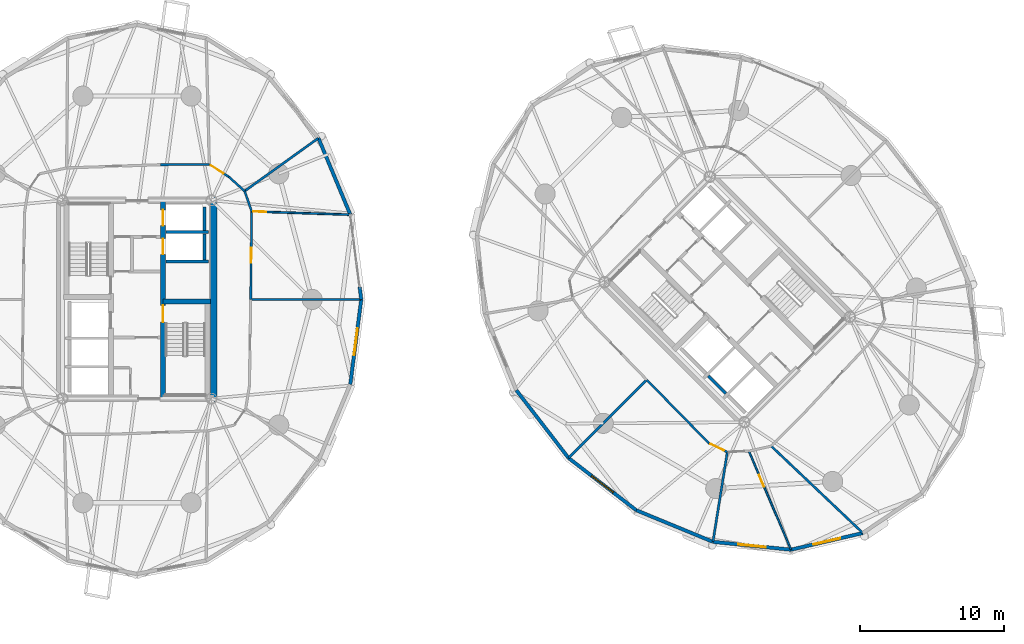
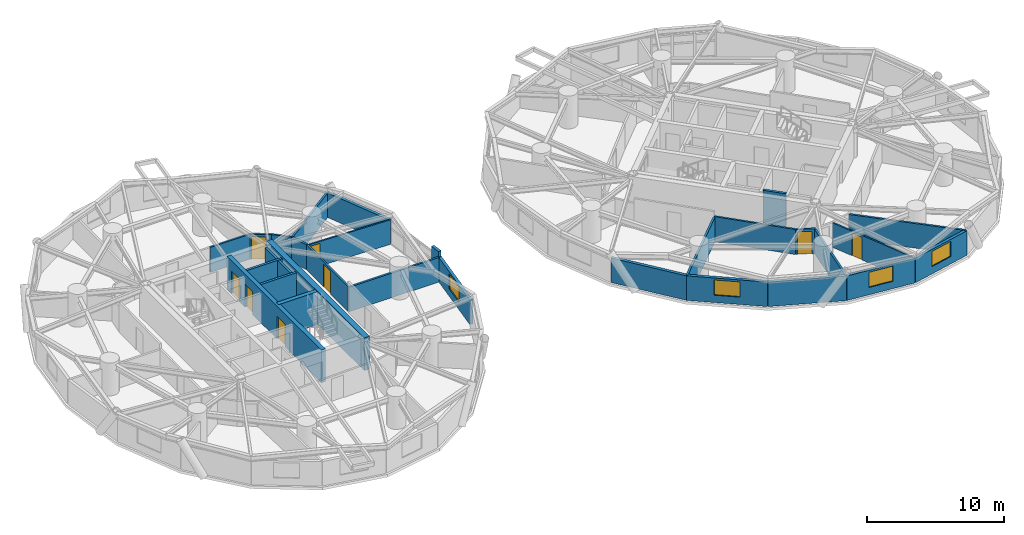
# One storey, part 11 of 17: 30 walls, 8 doors, 4 windows, 12 openings.
"""IFC4 building model written with IfcOpenShell, lengths in metres."""

from ifc_helpers import new_model, si_unit, direction, frame, frame_2d, origin, place, context, subcontext, project, spatial, rectangle, extrude, source, transform, mapped, material, layer, layer_set, type_object, element, fill, save


model = new_model("IFC4")

# Units and contexts
model_context = context("Model", 3, precision=1e-05, world=origin(), true_north=direction((0.0, 1.0)))
body_context = subcontext(model_context, "Body", "Model", "MODEL_VIEW")
ifc_project = project(units=[si_unit("LENGTHUNIT", "METRE"), si_unit("AREAUNIT", "SQUARE_METRE"), si_unit("VOLUMEUNIT", "CUBIC_METRE"), si_unit("PLANEANGLEUNIT", "RADIAN"), si_unit("MASSUNIT", "GRAM", prefix="KILO")], contexts=[model_context])

# Site, building, storey
site_placement = place(None, origin())
site = spatial("IfcSite", under=ifc_project, at=site_placement, CompositionType="ELEMENT")
building_placement = place(site_placement, origin())
building = spatial("IfcBuilding", under=site, at=building_placement, Name="Cununo Teusaquillo Station Towers", CompositionType="ELEMENT")
storey_placement = place(building_placement, frame((0.0, 0.0, 81.7900390625)))
storey = spatial("IfcBuildingStorey", under=building, at=storey_placement, Name="L25", CompositionType="ELEMENT", Elevation=81.7900390625)

# Walls
ifc_material_1 = material(Name="Concrete C50/60", Category="concrete")
ifc_layer_1 = layer(ifc_material_1, 0.199951171875)
ifc_layer_set_1 = layer_set([ifc_layer_1], Name="Concrete C50/60")
wall_type_1 = type_object("IfcWallType", Name="WL-CORE-200", PredefinedType="SHEAR", material=ifc_layer_set_1)
for number, where, z_axis, x_axis, name in (
    (1, (18.510009765625, 27.1298828125, 0.0), (0.0, 0.0, 1.0), (1.0, 0.0, 0.0), "L25 Tower A Low-Rise Lift Hoistway South Shear Wall"),
    (2, (18.510009765625, 29.175048828125, 0.0), (0.0, 0.0, 1.0), (1.0, 0.0, 0.0), "L25 Tower A Low-Rise Lift Hoistway Divider Shear Wall"),
):
    element("IfcWall", number, at=place(storey_placement, frame(where, z_axis=z_axis, x_axis=x_axis)), inside=storey, type_object=wall_type_1, Name=name, PredefinedType="SHEAR", context=body_context, shape_type="SweptSolid", body=[
        extrude(rectangle(XDim=2.969970703125, YDim=0.199951171875, at=frame_2d((1.48486328125, 0.0))), origin(), (0.0, 0.0, 1.0), 2.909912109375),
    ])
wall_1_placement = place(storey_placement, frame((21.179931640625, 27.25, 0.0), z_axis=(0.0, 0.0, 1.0), x_axis=(0.0, 1.0, 0.0)))
element("IfcWall", 3, at=wall_1_placement, inside=storey, type_object=wall_type_1, Name="L25 Tower A Low-Rise Lift 1 Shaft Rear Shear Wall", PredefinedType="SHEAR", context=body_context, shape_type="SweptSolid", body=[
    extrude(rectangle(XDim=1.804931640625, YDim=0.199951171875, at=frame_2d((0.90234375, 0.0))), origin(), (0.0, 0.0, 1.0), 2.909912109375),
])
wall_2_placement = place(storey_placement, frame((21.179931640625, 29.294921875, 0.0), z_axis=(0.0, 0.0, 1.0), x_axis=(0.0, 1.0, 0.0)))
element("IfcWall", 4, at=wall_2_placement, inside=storey, type_object=wall_type_1, Name="L25 Tower A Low-Rise Lift 2 Shaft Rear Shear Wall", PredefinedType="SHEAR", context=body_context, shape_type="SweptSolid", body=[
    extrude(rectangle(XDim=1.635009765625, YDim=0.199951171875, at=frame_2d((0.8173828125, 0.0))), origin(), (0.0, 0.0, 1.0), 2.909912109375),
])
wall_3_placement = place(storey_placement, frame((57.41162109375, 17.969970703125, 0.0), z_axis=(0.0, 0.0, 1.0), x_axis=(-0.707106781187, 0.707106781187, 0.0)))
element("IfcWall", 5, at=wall_3_placement, inside=storey, type_object=wall_type_1, Name="L25 Tower B High-Rise Lift 2 Shaft Rear Shear Wall", PredefinedType="SHEAR", context=body_context, shape_type="SweptSolid", body=[
    extrude(rectangle(XDim=1.73486328125, YDim=0.199951171875, at=frame_2d((0.867431640625, 0.0))), origin(), (0.0, 0.0, 1.0), 2.909912109375),
])

# Wall, openings, doors
ifc_material_2 = material(Name="Concrete C50/60", Category="concrete")
ifc_layer_2 = layer(ifc_material_2, 0.35009765625)
ifc_layer_set_2 = layer_set([ifc_layer_2], Name="Concrete C50/60")
wall_type_2 = type_object("IfcWallType", Name="WL-CORE-350", PredefinedType="SHEAR", material=ifc_layer_set_2)
wall_4_placement = place(storey_placement, frame((18.31494140625, 17.625, 0.0), z_axis=(0.0, 0.0, 1.0), x_axis=(0.0, 1.0, 0.0)))
wall_4 = element("IfcWall", 6, at=wall_4_placement, inside=storey, type_object=wall_type_2, Name="L25 Tower A Core Shear Wall IE", PredefinedType="SHEAR", context=body_context, shape_type="SweptSolid", body=[
    extrude(rectangle(XDim=13.75, YDim=0.35009765625, at=frame_2d((6.875, 0.0))), origin(), (0.0, 0.0, 1.0), 2.909912109375),
])
shared_shape_1 = source(origin(), body_context, "Body", "SweptSolid", [
    extrude(rectangle(XDim=1.10009765625, YDim=2.014892578125, at=frame_2d((0.550048828125, 1.00732421875))), frame((0.0, 0.18505859375, 0.0), z_axis=(0.0, -1.0, 0.0), x_axis=(1.0, 0.0, 0.0)), (0.0, 0.0, 1.0), 0.3701171875),
])
opening_1_placement = place(wall_4_placement, frame((10.0, 0.0, 0.0)))
opening_1 = element("IfcOpeningElement", 7, at=opening_1_placement, cuts=wall_4, Name="Opening LD-01", PredefinedType="OPENING", context=body_context, shape_type="MappedRepresentation", body=[
    mapped(shared_shape_1, transform((0.0, 0.0, 0.0), x_axis=(1.0, 0.0, 0.0), y_axis=(0.0, 1.0, 0.0), z_axis=(0.0, 0.0, 1.0), scale=1.0)),
])
opening_2_placement = place(wall_4_placement, frame((12.0, 0.0, 0.0)))
opening_2 = element("IfcOpeningElement", 8, at=opening_2_placement, cuts=wall_4, Name="Opening LD-01", PredefinedType="OPENING", context=body_context, shape_type="MappedRepresentation", body=[
    mapped(shared_shape_1, transform((0.0, 0.0, 0.0), x_axis=(1.0, 0.0, 0.0), y_axis=(0.0, 1.0, 0.0), z_axis=(0.0, 0.0, 1.0), scale=1.0)),
])
shared_shape_2 = source(origin(), body_context, "Body", "SweptSolid", [
    extrude(rectangle(XDim=1.14990234375, YDim=2.02001953125, at=frame_2d((0.574951171875, 1.010009765625))), frame((0.0, 0.18505859375, 0.0), z_axis=(0.0, -1.0, 0.0), x_axis=(1.0, 0.0, 0.0)), (0.0, 0.0, 1.0), 0.3701171875),
])
opening_3_placement = place(wall_4_placement, frame((5.304931640625, 0.0, 0.0)))
opening_3 = element("IfcOpeningElement", 9, at=opening_3_placement, cuts=wall_4, Name="Opening D-ST1", PredefinedType="OPENING", context=body_context, shape_type="MappedRepresentation", body=[
    mapped(shared_shape_2, transform((0.0, 0.0, 0.0), x_axis=(1.0, 0.0, 0.0), y_axis=(0.0, 1.0, 0.0), z_axis=(0.0, 0.0, 1.0), scale=1.0)),
])
ifc_material_3 = material(Name="Galvanised fire-rated hollow steel door assembly", Category="steel")
door_type_1 = type_object("IfcDoorType", Name="DR-LIFT-1100", OperationType="SLIDING_TO_LEFT", PredefinedType="DOOR", material=ifc_material_3)
shared_shape_3 = source(origin(), body_context, "Body", "SweptSolid", [
    extrude(rectangle(XDim=1.10009765625, YDim=2.014892578125, at=frame_2d((0.550048828125, 1.00732421875))), frame((0.0, 0.02490234375, 0.0), z_axis=(0.0, -1.0, 0.0), x_axis=(1.0, 0.0, 0.0)), (0.0, 0.0, 1.0), 0.050048828125),
])
door_1_placement = place(opening_1_placement, origin())
door_1 = element("IfcDoor", 10, at=door_1_placement, inside=storey, type_object=door_type_1, Name="L25 Lift PL-T1-L1 Sliding Landing Door", OperationType="SLIDING_TO_RIGHT", OverallHeight=2.014892578125, OverallWidth=1.10009765625, PredefinedType="DOOR", context=body_context, shape_type="MappedRepresentation", body=[
    mapped(shared_shape_3, transform((0.0, 0.0, 0.0), x_axis=(1.0, 0.0, 0.0), y_axis=(0.0, 1.0, 0.0), z_axis=(0.0, 0.0, 1.0), scale=1.0)),
])
fill(opening_1, door_1)
door_2_placement = place(opening_2_placement, origin())
door_2 = element("IfcDoor", 11, at=door_2_placement, inside=storey, type_object=door_type_1, Name="L25 Lift PL-T1-L2 Sliding Landing Door", OperationType="SLIDING_TO_LEFT", OverallHeight=2.014892578125, OverallWidth=1.10009765625, PredefinedType="DOOR", context=body_context, shape_type="MappedRepresentation", body=[
    mapped(shared_shape_3, transform((0.0, 0.0, 0.0), x_axis=(1.0, 0.0, 0.0), y_axis=(0.0, 1.0, 0.0), z_axis=(0.0, 0.0, 1.0), scale=1.0)),
])
fill(opening_2, door_2)
ifc_material_4 = material(Name="Galvanised fire-rated hollow steel door assembly", Category="steel")
door_type_2 = type_object("IfcDoorType", Name="DR-STAIR-1150", OperationType="NOTDEFINED", PredefinedType="DOOR", material=ifc_material_4)
shared_shape_4 = source(origin(), body_context, "Body", "SweptSolid", [
    extrude(rectangle(XDim=1.14990234375, YDim=2.02001953125, at=frame_2d((0.574951171875, 1.010009765625))), frame((0.0, 0.02490234375, 0.0), z_axis=(0.0, -1.0, 0.0), x_axis=(1.0, 0.0, 0.0)), (0.0, 0.0, 1.0), 0.050048828125),
])
door_3_placement = place(opening_3_placement, origin())
door_3 = element("IfcDoor", 12, at=door_3_placement, inside=storey, type_object=door_type_2, Name="L25 Tower A Exit Stair 2 Fire Door", OperationType="SINGLE_SWING_RIGHT", OverallHeight=2.02001953125, OverallWidth=1.14990234375, PredefinedType="DOOR", context=body_context, shape_type="MappedRepresentation", body=[
    mapped(shared_shape_4, transform((0.0, 0.0, 0.0), x_axis=(1.0, 0.0, 0.0), y_axis=(0.0, 1.0, 0.0), z_axis=(0.0, 0.0, 1.0), scale=1.0)),
])
fill(opening_3, door_3)

# Walls
wall_5_placement = place(storey_placement, frame((18.31494140625, 24.344970703125, 0.0), z_axis=(0.0, 0.0, 1.0), x_axis=(1.0, 0.0, 0.0)))
element("IfcWall", 13, at=wall_5_placement, inside=storey, type_object=wall_type_2, Name="L25 Tower A Core Shear Wall ST2N", PredefinedType="SHEAR", context=body_context, shape_type="SweptSolid", body=[
    extrude(rectangle(XDim=3.28515625, YDim=0.35009765625, at=frame_2d((1.642578125, 0.0))), origin(), (0.0, 0.0, 1.0), 2.909912109375),
])
ifc_material_5 = material(Name="Concrete C60/75", Category="concrete")
ifc_layer_3 = layer(ifc_material_5, 0.449951171875)
ifc_layer_set_3 = layer_set([ifc_layer_3], Name="Concrete C60/75")
wall_type_3 = type_object("IfcWallType", Name="WL-CORE-450", PredefinedType="SHEAR", material=ifc_layer_set_3)
wall_6_placement = place(storey_placement, frame((21.85009765625, 17.39990234375, 0.0), z_axis=(0.0, 0.0, 1.0), x_axis=(0.0, 1.0, 0.0)))
element("IfcWall", 14, at=wall_6_placement, inside=storey, type_object=wall_type_3, Name="L25 Tower A Core Shear Wall E", PredefinedType="SHEAR", context=body_context, shape_type="SweptSolid", body=[
    extrude(rectangle(XDim=14.2001953125, YDim=0.449951171875, at=frame_2d((7.10009765625, 0.0))), origin(), (0.0, 0.0, 1.0), 2.909912109375),
])
ifc_material_6 = material(Name="Precast concrete C40/50", Category="concrete")
ifc_layer_4 = layer(ifc_material_6, 0.239990234375)
ifc_layer_set_4 = layer_set([ifc_layer_4], Name="Precast concrete C40/50")
wall_type_4 = type_object("IfcWallType", Name="WL-EXT-240", PredefinedType="SOLIDWALL", material=ifc_layer_set_4)
wall_7_placement = place(storey_placement, frame((31.96923828125, 25.36279296875, 0.0), z_axis=(0.0, 0.0, 1.0), x_axis=(0.128523364007, -0.991706481225, 0.0)))
element("IfcWall", 15, at=wall_7_placement, inside=storey, type_object=wall_type_4, Name="L25 Tower A Column Pier Cladding Wall C00-PB", PredefinedType="SOLIDWALL", context=body_context, shape_type="SweptSolid", body=[
    extrude(rectangle(XDim=0.8701171875, YDim=0.239990234375, at=frame_2d((0.43505859375, 0.0))), origin(), (0.0, 0.0, 1.0), 2.655029296875),
])
wall_8_placement = place(storey_placement, frame((29.105224609375, 35.708984375, 0.0), z_axis=(0.0, 0.0, 1.0), x_axis=(0.384344417632, -0.923189779317, 0.0)))
element("IfcWall", 16, at=wall_8_placement, inside=storey, type_object=wall_type_4, Name="L25 Tower A Exterior Facade Wall C01", PredefinedType="SOLIDWALL", context=body_context, shape_type="SweptSolid", body=[
    extrude(rectangle(XDim=5.75830078125, YDim=0.239990234375, at=frame_2d((2.879150390625, 0.0))), origin(), (0.0, 0.0, 1.0), 2.178955078125),
])

# Wall, opening, window
wall_9_placement = place(storey_placement, frame((32.0810546875, 24.5, 0.0), z_axis=(0.0, 0.0, 1.0), x_axis=(-0.128351991996, -0.991728675672, 0.0)))
wall_9 = element("IfcWall", 17, at=wall_9_placement, inside=storey, type_object=wall_type_4, Name="L25 Tower A Exterior Facade Wall C19", PredefinedType="SOLIDWALL", context=body_context, shape_type="SweptSolid", body=[
    extrude(rectangle(XDim=5.942138671875, YDim=0.239990234375, at=frame_2d((2.97119140625, 0.0))), origin(), (0.0, 0.0, 1.0), 2.178955078125),
])
shared_shape_5 = source(origin(), body_context, "Body", "SweptSolid", [
    extrude(rectangle(XDim=1.89990234375, YDim=1.35009765625, at=frame_2d((0.949951171875, 0.675048828125))), frame((0.0, 0.1298828125, 0.0), z_axis=(0.0, -1.0, 0.0), x_axis=(1.0, 0.0, 0.0)), (0.0, 0.0, 1.0), 0.260009765625),
])
opening_4_placement = place(wall_9_placement, frame((2.02099609375, 0.0, 0.64990234375)))
opening_4 = element("IfcOpeningElement", 18, at=opening_4_placement, cuts=wall_9, Name="Opening WN-02", PredefinedType="OPENING", context=body_context, shape_type="MappedRepresentation", body=[
    mapped(shared_shape_5, transform((0.0, 0.0, 0.0), x_axis=(1.0, 0.0, 0.0), y_axis=(0.0, 1.0, 0.0), z_axis=(0.0, 0.0, 1.0), scale=1.0)),
])
ifc_material_7 = material(Name="Operable acoustic tinted low-E double glazing", Category="glass")
window_type = type_object("IfcWindowType", Name="WIN-OPER-1900", PartitioningType="DOUBLE_PANEL_VERTICAL", PredefinedType="WINDOW", material=ifc_material_7)
shared_shape_6 = source(origin(), body_context, "Body", "SweptSolid", [
    extrude(rectangle(XDim=1.89990234375, YDim=1.35009765625, at=frame_2d((0.949951171875, 0.675048828125))), frame((0.0, 0.030029296875, 0.0), z_axis=(0.0, -1.0, 0.0), x_axis=(1.0, 0.0, 0.0)), (0.0, 0.0, 1.0), 0.06005859375),
])
window_1_placement = place(opening_4_placement, origin())
window_1 = element("IfcWindow", 19, at=window_1_placement, inside=storey, type_object=window_type, Name="L25 Tower A Facade Window C19", OverallHeight=1.35009765625, OverallWidth=1.89990234375, PartitioningType="DOUBLE_PANEL_VERTICAL", PredefinedType="WINDOW", context=body_context, shape_type="MappedRepresentation", body=[
    mapped(shared_shape_6, transform((0.0, 0.0, 0.0), x_axis=(1.0, 0.0, 0.0), y_axis=(0.0, 1.0, 0.0), z_axis=(0.0, 0.0, 1.0), scale=1.0)),
])
fill(opening_4, window_1)

# Wall
wall_10_placement = place(storey_placement, frame((46.482666015625, 13.482666015625, 0.0), z_axis=(0.0, 0.0, 1.0), x_axis=(-0.61054437102, 0.791982052206, 0.0)))
element("IfcWall", 20, at=wall_10_placement, inside=storey, type_object=wall_type_4, Name="L25 Tower B Exterior Facade Wall C09", PredefinedType="SOLIDWALL", context=body_context, shape_type="SweptSolid", body=[
    extrude(rectangle(XDim=5.942138671875, YDim=0.239990234375, at=frame_2d((2.97119140625, 0.0))), origin(), (0.0, 0.0, 1.0), 2.178955078125),
])

# Wall, opening, window
wall_11_placement = place(storey_placement, frame((51.188720703125, 9.854736328125, 0.0), z_axis=(0.0, 0.0, 1.0), x_axis=(-0.791982052206, 0.61054437102, 0.0)))
wall_11 = element("IfcWall", 21, at=wall_11_placement, inside=storey, type_object=wall_type_4, Name="L25 Tower B Exterior Facade Wall C10", PredefinedType="SOLIDWALL", context=body_context, shape_type="SweptSolid", body=[
    extrude(rectangle(XDim=5.942138671875, YDim=0.239990234375, at=frame_2d((2.97119140625, 0.0))), origin(), (0.0, 0.0, 1.0), 2.178955078125),
])
opening_5_placement = place(wall_11_placement, frame((2.02099609375, 0.0, 0.64990234375)))
opening_5 = element("IfcOpeningElement", 22, at=opening_5_placement, cuts=wall_11, Name="Opening WN-02", PredefinedType="OPENING", context=body_context, shape_type="MappedRepresentation", body=[
    mapped(shared_shape_5, transform((0.0, 0.0, 0.0), x_axis=(1.0, 0.0, 0.0), y_axis=(0.0, 1.0, 0.0), z_axis=(0.0, 0.0, 1.0), scale=1.0)),
])
window_2_placement = place(opening_5_placement, origin())
window_2 = element("IfcWindow", 23, at=window_2_placement, inside=storey, type_object=window_type, Name="L25 Tower B Facade Window C10", OverallHeight=1.35009765625, OverallWidth=1.89990234375, PartitioningType="DOUBLE_PANEL_VERTICAL", PredefinedType="WINDOW", context=body_context, shape_type="MappedRepresentation", body=[
    mapped(shared_shape_6, transform((0.0, 0.0, 0.0), x_axis=(1.0, 0.0, 0.0), y_axis=(0.0, 1.0, 0.0), z_axis=(0.0, 0.0, 1.0), scale=1.0)),
])
fill(opening_5, window_2)

# Wall
wall_12_placement = place(storey_placement, frame((56.5126953125, 7.66064453125, 0.0), z_axis=(0.0, 0.0, 1.0), x_axis=(-0.924563909604, 0.381027003055, 0.0)))
element("IfcWall", 24, at=wall_12_placement, inside=storey, type_object=wall_type_4, Name="L25 Tower B Exterior Facade Wall C11", PredefinedType="SOLIDWALL", context=body_context, shape_type="SweptSolid", body=[
    extrude(rectangle(XDim=5.75830078125, YDim=0.239990234375, at=frame_2d((2.879150390625, 0.0))), origin(), (0.0, 0.0, 1.0), 2.178955078125),
])

# Wall, opening, window
wall_13_placement = place(storey_placement, frame((61.933349609375, 7.114990234375, 0.0), z_axis=(0.0, 0.0, 1.0), x_axis=(-0.994971754311, 0.10015591906, 0.0)))
wall_13 = element("IfcWall", 25, at=wall_13_placement, inside=storey, type_object=wall_type_4, Name="L25 Tower B Exterior Facade Wall C12", PredefinedType="SOLIDWALL", context=body_context, shape_type="SweptSolid", body=[
    extrude(rectangle(XDim=5.447998046875, YDim=0.239990234375, at=frame_2d((2.72412109375, 0.0))), origin(), (0.0, 0.0, 1.0), 2.178955078125),
])
opening_6_placement = place(wall_13_placement, frame((1.77392578125, 0.0, 0.64990234375)))
opening_6 = element("IfcOpeningElement", 26, at=opening_6_placement, cuts=wall_13, Name="Opening WN-02", PredefinedType="OPENING", context=body_context, shape_type="MappedRepresentation", body=[
    mapped(shared_shape_5, transform((0.0, 0.0, 0.0), x_axis=(1.0, 0.0, 0.0), y_axis=(0.0, 1.0, 0.0), z_axis=(0.0, 0.0, 1.0), scale=1.0)),
])
window_3_placement = place(opening_6_placement, origin())
window_3 = element("IfcWindow", 27, at=window_3_placement, inside=storey, type_object=window_type, Name="L25 Tower B Facade Window C12", OverallHeight=1.35009765625, OverallWidth=1.89990234375, PartitioningType="DOUBLE_PANEL_VERTICAL", PredefinedType="WINDOW", context=body_context, shape_type="MappedRepresentation", body=[
    mapped(shared_shape_6, transform((0.0, 0.0, 0.0), x_axis=(1.0, 0.0, 0.0), y_axis=(0.0, 1.0, 0.0), z_axis=(0.0, 0.0, 1.0), scale=1.0)),
])
fill(opening_6, window_3)

wall_14_placement = place(storey_placement, frame((66.919921875, 8.27099609375, 0.0), z_axis=(0.0, 0.0, 1.0), x_axis=(-0.974165631126, -0.225834725257, 0.0)))
wall_14 = element("IfcWall", 28, at=wall_14_placement, inside=storey, type_object=wall_type_4, Name="L25 Tower B Exterior Facade Wall C13", PredefinedType="SOLIDWALL", context=body_context, shape_type="SweptSolid", body=[
    extrude(rectangle(XDim=5.118896484375, YDim=0.239990234375, at=frame_2d((2.5595703125, 0.0))), origin(), (0.0, 0.0, 1.0), 2.178955078125),
])
opening_7_placement = place(wall_14_placement, frame((1.60888671875, 0.0, 0.64990234375)))
opening_7 = element("IfcOpeningElement", 29, at=opening_7_placement, cuts=wall_14, Name="Opening WN-02", PredefinedType="OPENING", context=body_context, shape_type="MappedRepresentation", body=[
    mapped(shared_shape_5, transform((0.0, 0.0, 0.0), x_axis=(1.0, 0.0, 0.0), y_axis=(0.0, 1.0, 0.0), z_axis=(0.0, 0.0, 1.0), scale=1.0)),
])
window_4_placement = place(opening_7_placement, origin())
window_4 = element("IfcWindow", 30, at=window_4_placement, inside=storey, type_object=window_type, Name="L25 Tower B Facade Window C13", OverallHeight=1.35009765625, OverallWidth=1.89990234375, PartitioningType="DOUBLE_PANEL_VERTICAL", PredefinedType="WINDOW", context=body_context, shape_type="MappedRepresentation", body=[
    mapped(shared_shape_6, transform((0.0, 0.0, 0.0), x_axis=(1.0, 0.0, 0.0), y_axis=(0.0, 1.0, 0.0), z_axis=(0.0, 0.0, 1.0), scale=1.0)),
])
fill(opening_7, window_4)

# Wall, opening, door
ifc_material_8 = material(Name="Fire-rated gypsum plasterboard partition assembly", Category="gypsum")
ifc_layer_5 = layer(ifc_material_8, 0.125)
ifc_layer_set_5 = layer_set([ifc_layer_5], Name="Fire-rated gypsum plasterboard partition assembly")
wall_type_5 = type_object("IfcWallType", Name="WL-PART-125", PredefinedType="PARTITIONING", material=ifc_layer_set_5)
wall_15_placement = place(storey_placement, frame((24.468994140625, 30.614013671875, 0.0), z_axis=(0.0, 0.0, 1.0), x_axis=(0.999446768925, -0.033258924898, 0.0)))
wall_15 = element("IfcWall", 31, at=wall_15_placement, inside=storey, type_object=wall_type_5, Name="L25 Tower A Senior Partners Law Chambers Suite Subdividing Wall", PredefinedType="PARTITIONING", context=body_context, shape_type="SweptSolid", body=[
    extrude(rectangle(XDim=6.833984375, YDim=0.125, at=frame_2d((3.4169921875, 0.0))), origin(), (0.0, 0.0, 1.0), 2.178955078125),
])
shared_shape_7 = source(origin(), body_context, "Body", "SweptSolid", [
    extrude(rectangle(XDim=0.89990234375, YDim=2.0048828125, at=frame_2d((0.449951171875, 1.00244140625))), frame((0.0, 0.072509765625, 0.0), z_axis=(0.0, -1.0, 0.0), x_axis=(1.0, 0.0, 0.0)), (0.0, 0.0, 1.0), 0.14501953125),
])
opening_8_placement = place(wall_15_placement, frame((0.1201171875, 0.0, 0.0)))
opening_8 = element("IfcOpeningElement", 32, at=opening_8_placement, cuts=wall_15, Name="Opening D-IN1", PredefinedType="OPENING", context=body_context, shape_type="MappedRepresentation", body=[
    mapped(shared_shape_7, transform((0.0, 0.0, 0.0), x_axis=(1.0, 0.0, 0.0), y_axis=(0.0, 1.0, 0.0), z_axis=(0.0, 0.0, 1.0), scale=1.0)),
])
ifc_material_9 = material(Name="Acoustic solid-core hardwood leaf assembly", Category="wood")
door_type_3 = type_object("IfcDoorType", Name="DR-INT-900", OperationType="NOTDEFINED", PredefinedType="DOOR", material=ifc_material_9)
shared_shape_8 = source(origin(), body_context, "Body", "SweptSolid", [
    extrude(rectangle(XDim=0.89990234375, YDim=2.0048828125, at=frame_2d((0.449951171875, 1.00244140625))), frame((0.0, 0.02490234375, 0.0), z_axis=(0.0, -1.0, 0.0), x_axis=(1.0, 0.0, 0.0)), (0.0, 0.0, 1.0), 0.050048828125),
])
door_4_placement = place(opening_8_placement, origin())
door_4 = element("IfcDoor", 33, at=door_4_placement, inside=storey, type_object=door_type_3, Name="L25 Tower A Senior Partners Law Chambers Suite Connecting Door", OperationType="SINGLE_SWING_RIGHT", OverallHeight=2.0048828125, OverallWidth=0.89990234375, PredefinedType="DOOR", context=body_context, shape_type="MappedRepresentation", body=[
    mapped(shared_shape_8, transform((0.0, 0.0, 0.0), x_axis=(1.0, 0.0, 0.0), y_axis=(0.0, 1.0, 0.0), z_axis=(0.0, 0.0, 1.0), scale=1.0)),
])
fill(opening_8, door_4)

wall_16_placement = place(storey_placement, frame((59.008056640625, 13.962890625, 0.0), z_axis=(0.0, 0.0, 1.0), x_axis=(0.393439207333, -0.919350635032, 0.0)))
wall_16 = element("IfcWall", 34, at=wall_16_placement, inside=storey, type_object=wall_type_5, Name="L25 Tower B Video Deposition Conference Room Suite Subdividing Wall", PredefinedType="PARTITIONING", context=body_context, shape_type="SweptSolid", body=[
    extrude(rectangle(XDim=7.427001953125, YDim=0.125, at=frame_2d((3.71337890625, 0.0))), origin(), (0.0, 0.0, 1.0), 2.178955078125),
])
opening_9_placement = place(wall_16_placement, frame((1.800048828125, 0.0, 0.0)))
opening_9 = element("IfcOpeningElement", 35, at=opening_9_placement, cuts=wall_16, Name="Opening D-IN1", PredefinedType="OPENING", context=body_context, shape_type="MappedRepresentation", body=[
    mapped(shared_shape_7, transform((0.0, 0.0, 0.0), x_axis=(1.0, 0.0, 0.0), y_axis=(0.0, 1.0, 0.0), z_axis=(0.0, 0.0, 1.0), scale=1.0)),
])
door_5_placement = place(opening_9_placement, origin())
door_5 = element("IfcDoor", 36, at=door_5_placement, inside=storey, type_object=door_type_3, Name="L25 Tower B Video Deposition Conference Room Suite Connecting Door", OperationType="SINGLE_SWING_RIGHT", OverallHeight=2.0048828125, OverallWidth=0.89990234375, PredefinedType="DOOR", context=body_context, shape_type="MappedRepresentation", body=[
    mapped(shared_shape_8, transform((0.0, 0.0, 0.0), x_axis=(1.0, 0.0, 0.0), y_axis=(0.0, 1.0, 0.0), z_axis=(0.0, 0.0, 1.0), scale=1.0)),
])
fill(opening_9, door_5)

ifc_material_10 = material(Name="Fire-rated gypsum plasterboard partition assembly", Category="gypsum")
ifc_layer_6 = layer(ifc_material_10, 0.14990234375)
ifc_layer_set_6 = layer_set([ifc_layer_6], Name="Fire-rated gypsum plasterboard partition assembly")
wall_type_6 = type_object("IfcWallType", Name="WL-PART-150", PredefinedType="PARTITIONING", material=ifc_layer_set_6)
wall_17_placement = place(storey_placement, frame((24.39990234375, 24.5, 0.0), z_axis=(0.0, 0.0, 1.0), x_axis=(0.011299841544, 0.999936154752, 0.0)))
wall_17 = element("IfcWall", 37, at=wall_17_placement, inside=storey, type_object=wall_type_6, Name="L25 Tower A Corridor Ring Wall C00", PredefinedType="PARTITIONING", context=body_context, shape_type="SweptSolid", body=[
    extrude(rectangle(XDim=6.114501953125, YDim=0.14990234375, at=frame_2d((3.05712890625, 0.0))), origin(), (0.0, 0.0, 1.0), 2.224853515625),
])
shared_shape_9 = source(origin(), body_context, "Body", "SweptSolid", [
    extrude(rectangle(XDim=1.050048828125, YDim=2.014892578125, at=frame_2d((0.52490234375, 1.00732421875))), frame((0.0, 0.0849609375, 0.0), z_axis=(0.0, -1.0, 0.0), x_axis=(1.0, 0.0, 0.0)), (0.0, 0.0, 1.0), 0.169921875),
])
opening_10_placement = place(wall_17_placement, frame((2.5322265625, 0.0, 0.0)))
opening_10 = element("IfcOpeningElement", 38, at=opening_10_placement, cuts=wall_17, Name="Opening D-SU1", PredefinedType="OPENING", context=body_context, shape_type="MappedRepresentation", body=[
    mapped(shared_shape_9, transform((0.0, 0.0, 0.0), x_axis=(1.0, 0.0, 0.0), y_axis=(0.0, 1.0, 0.0), z_axis=(0.0, 0.0, 1.0), scale=1.0)),
])
ifc_material_11 = material(Name="Acoustic solid-core hardwood leaf assembly", Category="wood")
door_type_4 = type_object("IfcDoorType", Name="DR-SUITE-1050", OperationType="NOTDEFINED", PredefinedType="DOOR", material=ifc_material_11)
shared_shape_10 = source(origin(), body_context, "Body", "SweptSolid", [
    extrude(rectangle(XDim=1.050048828125, YDim=2.014892578125, at=frame_2d((0.52490234375, 1.00732421875))), frame((0.0, 0.02490234375, 0.0), z_axis=(0.0, -1.0, 0.0), x_axis=(1.0, 0.0, 0.0)), (0.0, 0.0, 1.0), 0.050048828125),
])
door_6_placement = place(opening_10_placement, origin())
door_6 = element("IfcDoor", 39, at=door_6_placement, inside=storey, type_object=door_type_4, Name="L25 Tower A Senior Partners Law Chambers Entrance Door", OperationType="SINGLE_SWING_LEFT", OverallHeight=2.014892578125, OverallWidth=1.050048828125, PredefinedType="DOOR", context=body_context, shape_type="MappedRepresentation", body=[
    mapped(shared_shape_10, transform((0.0, 0.0, 0.0), x_axis=(1.0, 0.0, 0.0), y_axis=(0.0, 1.0, 0.0), z_axis=(0.0, 0.0, 1.0), scale=1.0)),
])
fill(opening_10, door_6)

# Walls
wall_18_placement = place(storey_placement, frame((24.468994140625, 30.614013671875, 0.0), z_axis=(0.0, 0.0, 1.0), x_axis=(-0.327228335485, 0.944945298129, 0.0)))
element("IfcWall", 40, at=wall_18_placement, inside=storey, type_object=wall_type_6, Name="L25 Tower A Corridor Ring Wall C01", PredefinedType="PARTITIONING", context=body_context, shape_type="SweptSolid", body=[
    extrude(rectangle(XDim=1.4951171875, YDim=0.14990234375, at=frame_2d((0.74755859375, 0.0))), origin(), (0.0, 0.0, 1.0), 2.224853515625),
])
wall_19_placement = place(storey_placement, frame((23.979736328125, 32.02685546875, 0.0), z_axis=(0.0, 0.0, 1.0), x_axis=(-0.742353224332, 0.670008724065, 0.0)))
element("IfcWall", 41, at=wall_19_placement, inside=storey, type_object=wall_type_6, Name="L25 Tower A Corridor Ring Wall C02", PredefinedType="PARTITIONING", context=body_context, shape_type="SweptSolid", body=[
    extrude(rectangle(XDim=1.48486328125, YDim=0.14990234375, at=frame_2d((0.742431640625, 0.0))), origin(), (0.0, 0.0, 1.0), 2.224853515625),
])

# Wall, opening, door
wall_20_placement = place(storey_placement, frame((22.87744140625, 33.021728515625, 0.0), z_axis=(0.0, 0.0, 1.0), x_axis=(-0.845895608855, 0.533348496689, 0.0)))
wall_20 = element("IfcWall", 42, at=wall_20_placement, inside=storey, type_object=wall_type_6, Name="L25 Tower A Corridor Ring Wall C03", PredefinedType="PARTITIONING", context=body_context, shape_type="SweptSolid", body=[
    extrude(rectangle(XDim=1.5966796875, YDim=0.14990234375, at=frame_2d((0.79833984375, 0.0))), origin(), (0.0, 0.0, 1.0), 2.224853515625),
])
opening_11_placement = place(wall_20_placement, frame((0.4267578125, 0.0, 0.0)))
opening_11 = element("IfcOpeningElement", 43, at=opening_11_placement, cuts=wall_20, Name="Opening D-SU1", PredefinedType="OPENING", context=body_context, shape_type="MappedRepresentation", body=[
    mapped(shared_shape_9, transform((0.0, 0.0, 0.0), x_axis=(1.0, 0.0, 0.0), y_axis=(0.0, 1.0, 0.0), z_axis=(0.0, 0.0, 1.0), scale=1.0)),
])
door_7_placement = place(opening_11_placement, origin())
door_7 = element("IfcDoor", 44, at=door_7_placement, inside=storey, type_object=door_type_4, Name="L25 Tower A Legal Arbitration Hearing Room Entrance Door", OperationType="SINGLE_SWING_LEFT", OverallHeight=2.014892578125, OverallWidth=1.050048828125, PredefinedType="DOOR", context=body_context, shape_type="MappedRepresentation", body=[
    mapped(shared_shape_10, transform((0.0, 0.0, 0.0), x_axis=(1.0, 0.0, 0.0), y_axis=(0.0, 1.0, 0.0), z_axis=(0.0, 0.0, 1.0), scale=1.0)),
])
fill(opening_11, door_7)

# Walls
wall_21_placement = place(storey_placement, frame((21.52685546875, 33.873291015625, 0.0), z_axis=(0.0, 0.0, 1.0), x_axis=(-0.999991838845, -0.004040079574, 0.0)))
element("IfcWall", 45, at=wall_21_placement, inside=storey, type_object=wall_type_6, Name="L25 Tower A Corridor Ring Wall C04", PredefinedType="PARTITIONING", context=body_context, shape_type="SweptSolid", body=[
    extrude(rectangle(XDim=3.384033203125, YDim=0.14990234375, at=frame_2d((1.69189453125, 0.0))), origin(), (0.0, 0.0, 1.0), 2.224853515625),
])
wall_22_placement = place(storey_placement, frame((51.913818359375, 18.913818359375, 0.0), z_axis=(0.0, 0.0, 1.0), x_axis=(0.699999313799, -0.714143515465, 0.0)))
element("IfcWall", 46, at=wall_22_placement, inside=storey, type_object=wall_type_6, Name="L25 Tower B Corridor Ring Wall C10", PredefinedType="PARTITIONING", context=body_context, shape_type="SweptSolid", body=[
    extrude(rectangle(XDim=6.162109375, YDim=0.14990234375, at=frame_2d((3.0810546875, 0.0))), origin(), (0.0, 0.0, 1.0), 2.224853515625),
])

# Wall, opening, door
wall_23_placement = place(storey_placement, frame((56.227294921875, 14.51318359375, 0.0), z_axis=(0.0, 0.0, 1.0), x_axis=(0.901477579283, -0.432825801044, 0.0)))
wall_23 = element("IfcWall", 47, at=wall_23_placement, inside=storey, type_object=wall_type_6, Name="L25 Tower B Corridor Ring Wall C11", PredefinedType="PARTITIONING", context=body_context, shape_type="SweptSolid", body=[
    extrude(rectangle(XDim=1.42431640625, YDim=0.14990234375, at=frame_2d((0.712158203125, 0.0))), origin(), (0.0, 0.0, 1.0), 2.224853515625),
])
opening_12_placement = place(wall_23_placement, frame((0.1201171875, 0.0, 0.0)))
opening_12 = element("IfcOpeningElement", 48, at=opening_12_placement, cuts=wall_23, Name="Opening D-SU1", PredefinedType="OPENING", context=body_context, shape_type="MappedRepresentation", body=[
    mapped(shared_shape_9, transform((0.0, 0.0, 0.0), x_axis=(1.0, 0.0, 0.0), y_axis=(0.0, 1.0, 0.0), z_axis=(0.0, 0.0, 1.0), scale=1.0)),
])
door_8_placement = place(opening_12_placement, origin())
door_8 = element("IfcDoor", 49, at=door_8_placement, inside=storey, type_object=door_type_4, Name="L25 Tower B Managing Partner Corner Chambers Entrance Door", OperationType="SINGLE_SWING_RIGHT", OverallHeight=2.014892578125, OverallWidth=1.050048828125, PredefinedType="DOOR", context=body_context, shape_type="MappedRepresentation", body=[
    mapped(shared_shape_10, transform((0.0, 0.0, 0.0), x_axis=(1.0, 0.0, 0.0), y_axis=(0.0, 1.0, 0.0), z_axis=(0.0, 0.0, 1.0), scale=1.0)),
])
fill(opening_12, door_8)

# Walls
ifc_material_12 = material(Name="Fire-rated gypsum plasterboard partition assembly", Category="gypsum")
ifc_layer_7 = layer(ifc_material_12, 0.159912109375)
ifc_layer_set_7 = layer_set([ifc_layer_7], Name="Fire-rated gypsum plasterboard partition assembly")
wall_type_7 = type_object("IfcWallType", Name="WL-PART-160", PredefinedType="PARTITIONING", material=ifc_layer_set_7)
wall_24_placement = place(storey_placement, frame((24.39990234375, 24.5, 0.0), z_axis=(0.0, 0.0, 1.0), x_axis=(1.0, 0.0, 0.0)))
element("IfcWall", 50, at=wall_24_placement, inside=storey, type_object=wall_type_7, Name="L25 Tower A Radial Suite Partition R01", PredefinedType="PARTITIONING", context=body_context, shape_type="SweptSolid", body=[
    extrude(rectangle(XDim=7.6611328125, YDim=0.159912109375, at=frame_2d((3.83056640625, 0.0))), origin(), (0.0, 0.0, 1.0), 2.178955078125),
])
wall_25_placement = place(storey_placement, frame((23.979736328125, 32.02685546875, 0.0), z_axis=(0.0, 0.0, 1.0), x_axis=(0.812162479031, 0.58343132214, 0.0)))
element("IfcWall", 51, at=wall_25_placement, inside=storey, type_object=wall_type_7, Name="L25 Tower A Radial Suite Partition R02", PredefinedType="PARTITIONING", context=body_context, shape_type="SweptSolid", body=[
    extrude(rectangle(XDim=6.291015625, YDim=0.159912109375, at=frame_2d((3.1455078125, 0.0))), origin(), (0.0, 0.0, 1.0), 2.178955078125),
])
wall_26_placement = place(storey_placement, frame((51.913818359375, 18.913818359375, 0.0), z_axis=(0.0, 0.0, 1.0), x_axis=(-0.707106781187, -0.707106781187, 0.0)))
element("IfcWall", 52, at=wall_26_placement, inside=storey, type_object=wall_type_7, Name="L25 Tower B Radial Suite Partition R06", PredefinedType="PARTITIONING", context=body_context, shape_type="SweptSolid", body=[
    extrude(rectangle(XDim=7.6611328125, YDim=0.159912109375, at=frame_2d((3.83056640625, 0.0))), origin(), (0.0, 0.0, 1.0), 2.178955078125),
])
wall_27_placement = place(storey_placement, frame((57.51123046875, 13.896728515625, 0.0), z_axis=(0.0, 0.0, 1.0), x_axis=(-0.15810696167, -0.987421991183, 0.0)))
element("IfcWall", 53, at=wall_27_placement, inside=storey, type_object=wall_type_7, Name="L25 Tower B Radial Suite Partition R07", PredefinedType="PARTITIONING", context=body_context, shape_type="SweptSolid", body=[
    extrude(rectangle(XDim=6.29541015625, YDim=0.159912109375, at=frame_2d((3.147705078125, 0.0))), origin(), (0.0, 0.0, 1.0), 2.178955078125),
])
wall_28_placement = place(storey_placement, frame((60.5625, 14.3095703125, 0.0), z_axis=(0.0, 0.0, 1.0), x_axis=(0.725582293335, -0.688135404989, 0.0)))
element("IfcWall", 54, at=wall_28_placement, inside=storey, type_object=wall_type_7, Name="L25 Tower B Radial Suite Partition R08", PredefinedType="PARTITIONING", context=body_context, shape_type="SweptSolid", body=[
    extrude(rectangle(XDim=8.749267578125, YDim=0.159912109375, at=frame_2d((4.37451171875, 0.0))), origin(), (0.0, 0.0, 1.0), 2.178955078125),
])

save(model, "model.ifc")
